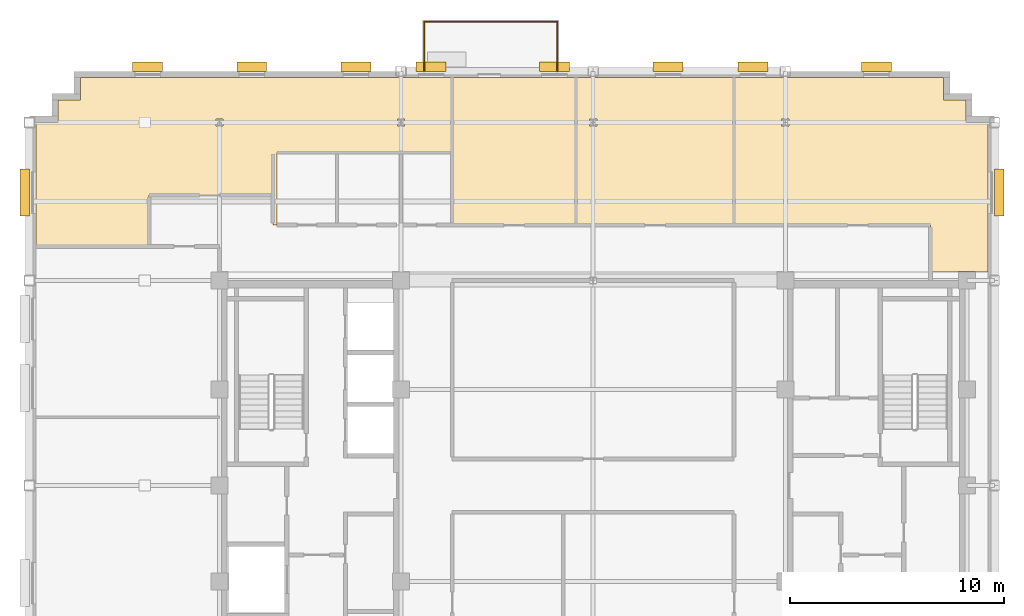
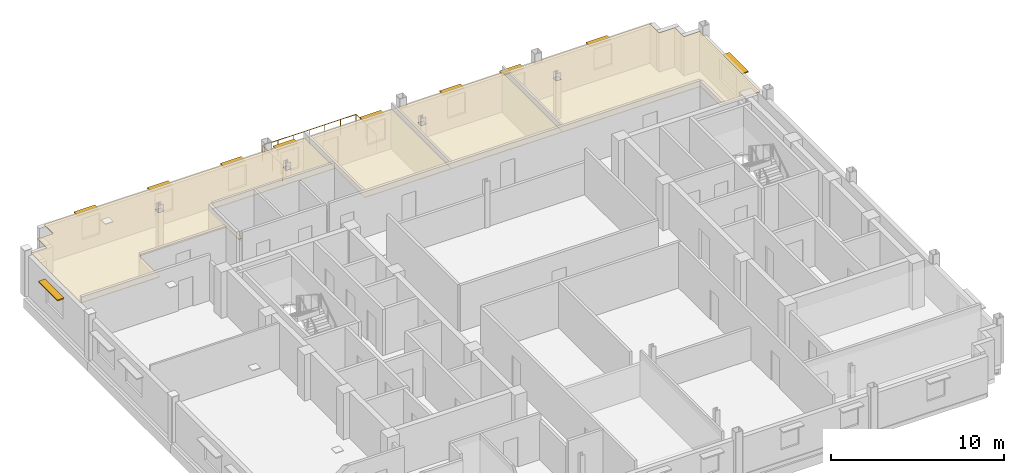
# One storey, part 14 of 14: 10 shading devices, 4 coverings, 1 railing.
"""IFC4 building model written with IfcOpenShell, lengths in metres."""

from ifc_helpers import new_model, si_unit, direction, frame, origin, origin_2d, place, context, subcontext, project, spatial, polyline, rectangle, circle, outline, extrude, source, transform, mapped, material, layer, layer_set, type_object, type_shapes, element, save


model = new_model("IFC4")

# Units and contexts
model_context = context("Model", 3, precision=1e-05, world=origin(), true_north=direction((0.0, 1.0)))
body_context = subcontext(model_context, "Body", "Model", "MODEL_VIEW")
ifc_project = project(units=[si_unit("LENGTHUNIT", "METRE"), si_unit("AREAUNIT", "SQUARE_METRE"), si_unit("VOLUMEUNIT", "CUBIC_METRE"), si_unit("PLANEANGLEUNIT", "RADIAN"), si_unit("MASSUNIT", "GRAM", prefix="KILO")], contexts=[model_context])

# Site, building, storey
site_placement = place(None, origin())
site = spatial("IfcSite", under=ifc_project, at=site_placement, CompositionType="ELEMENT")
building_placement = place(site_placement, origin())
building = spatial("IfcBuilding", under=site, at=building_placement, Name="Nuvemarco Arch Tower", CompositionType="ELEMENT")
storey_placement = place(building_placement, frame((0.0, 0.0, 242.0)))
storey = spatial("IfcBuildingStorey", under=building, at=storey_placement, Name="L64", CompositionType="ELEMENT", Elevation=242.0)

# Coverings
ifc_material_1 = material(Name="Mineral acoustic ceiling tile")
ifc_layer = layer(ifc_material_1, 0.0400390625, Name="COV-ACOUSTIC-CLG")
ifc_layer_set = layer_set([ifc_layer], Name="Mineral acoustic ceiling tile")
covering_type = type_object("IfcCoveringType", Name="COV-ACOUSTIC-CLG", PredefinedType="CEILING", material=ifc_layer_set)
covering_1_placement = place(storey_placement, frame((0.0, 0.0, 2.72998046875)))
element("IfcCovering", 1, at=covering_1_placement, inside=storey, type_object=covering_type, Name="L64 suspended acoustic ceiling 1", PredefinedType="CEILING", context=body_context, shape_type="SweptSolid", body=[
    extrude(outline(polyline([(-15.0, 12.199951171875), (-15.0, 13.60009765625), (-20.800048828125, 13.60009765625), (-20.800048828125, 11.199951171875), (-26.10009765625, 11.199951171875), (-26.10009765625, 17.0), (-25.050048828125, 17.0), (-25.050048828125, 18.050048828125), (-24.0, 18.050048828125), (-24.0, 19.10009765625), (-6.60009765625, 19.10009765625), (-6.60009765625, 15.60009765625), (-9.199951171875, 15.60009765625), (-12.0, 15.60009765625), (-14.800048828125, 15.60009765625), (-14.800048828125, 12.199951171875), (-15.0, 12.199951171875)]), holes=[polyline([(-17.330078125, 17.169921875), (-17.669921875, 17.169921875), (-17.669921875, 16.830078125), (-17.330078125, 16.830078125), (-17.330078125, 17.169921875)]), polyline([(-8.830078125, 17.169921875), (-9.169921875, 17.169921875), (-9.169921875, 16.830078125), (-8.830078125, 16.830078125), (-8.830078125, 17.169921875)])]), origin(), (0.0, 0.0, 1.0), 0.0400390625),
])
covering_2_placement = place(storey_placement, frame((0.0, 0.0, 2.72998046875)))
element("IfcCovering", 2, at=covering_2_placement, inside=storey, type_object=covering_type, Name="L64 suspended acoustic ceiling 2", PredefinedType="CEILING", context=body_context, shape_type="SweptSolid", body=[
    extrude(outline(polyline([(18.5, 17.0), (18.5, 10.0), (17.9150390625, 10.0), (17.9150390625, 10.014892578125), (17.0849609375, 10.014892578125), (17.0849609375, 10.0), (15.800048828125, 10.0), (15.800048828125, 12.199951171875), (9.0, 12.199951171875), (6.60009765625, 12.199951171875), (6.60009765625, 19.10009765625), (16.39990234375, 19.10009765625), (16.39990234375, 18.050048828125), (17.449951171875, 18.050048828125), (17.449951171875, 17.0), (18.5, 17.0)]), holes=[polyline([(9.169921875, 17.169921875), (8.830078125, 17.169921875), (8.830078125, 16.830078125), (9.169921875, 16.830078125), (9.169921875, 17.169921875)])]), origin(), (0.0, 0.0, 1.0), 0.0400390625),
])
covering_3_placement = place(storey_placement, frame((0.0, 0.0, 2.72998046875)))
element("IfcCovering", 3, at=covering_3_placement, inside=storey, type_object=covering_type, Name="L64 suspended acoustic ceiling 5", PredefinedType="CEILING", context=body_context, shape_type="SweptSolid", body=[
    extrude(outline(polyline([(-0.800048828125, 12.199951171875), (-0.800048828125, 19.10009765625), (6.60009765625, 19.10009765625), (6.60009765625, 12.199951171875), (-0.800048828125, 12.199951171875)]), holes=[polyline([(0.169921875, 16.830078125), (0.169921875, 17.169921875), (-0.169921875, 17.169921875), (-0.169921875, 16.830078125), (0.169921875, 16.830078125)])]), origin(), (0.0, 0.0, 1.0), 0.0400390625),
])
covering_4_placement = place(storey_placement, frame((0.0, 0.0, 2.72998046875)))
element("IfcCovering", 4, at=covering_4_placement, inside=storey, type_object=covering_type, Name="L64 suspended acoustic ceiling 8", PredefinedType="CEILING", context=body_context, shape_type="SweptSolid", body=[
    extrude(outline(polyline([(-0.800048828125, 12.199951171875), (-6.60009765625, 12.199951171875), (-6.60009765625, 15.60009765625), (-6.60009765625, 19.10009765625), (-0.800048828125, 19.10009765625), (-0.800048828125, 12.199951171875)])), origin(), (0.0, 0.0, 1.0), 0.0400390625),
])

# Railing
ifc_material_2 = material(Name="Dark anodised balustrade steel S355", Category="steel")
railing_type = type_object("IfcRailingType", Name="RL-TERR-GUARD", PredefinedType="BALUSTRADE", material=ifc_material_2)
railing_placement = place(storey_placement, frame((-7.919921875, 19.39990234375, 0.0)))
element("IfcRailing", 5, at=railing_placement, inside=storey, type_object=railing_type, Name="L64 spiral terrace perimeter balustrade guard", PredefinedType="BALUSTRADE", context=body_context, shape_type="SweptSolid", body=[
    extrude(circle(Radius=0.02392578125, at=origin_2d()), frame((0.0, 0.0, 1.1259765625), z_axis=(0.0, 1.0, 0.0), x_axis=(-1.0, 0.0, 0.0)), (0.0, 0.0, 1.0), 2.320068359375),
    extrude(circle(Radius=0.02392578125, at=origin_2d()), frame((0.0, 2.320068359375, 1.1259765625), z_axis=(1.0, 0.0, 0.0), x_axis=(0.0, 1.0, 0.0)), (0.0, 0.0, 1.0), 6.239990234375),
    extrude(circle(Radius=0.02392578125, at=origin_2d()), frame((6.239990234375, 2.320068359375, 1.1259765625), z_axis=(0.0, -1.0, 0.0), x_axis=(1.0, 0.0, 0.0)), (0.0, 0.0, 1.0), 2.320068359375),
    extrude(circle(Radius=0.02099609375, at=origin_2d()), origin(), (0.0, 0.0, 1.0), 1.101806640625),
    extrude(circle(Radius=0.02099609375, at=origin_2d()), frame((0.0, 1.16015625, 0.0)), (0.0, 0.0, 1.0), 1.101806640625),
    extrude(circle(Radius=0.02099609375, at=origin_2d()), frame((0.0, 2.320068359375, 0.0)), (0.0, 0.0, 1.0), 1.101806640625),
    extrude(circle(Radius=0.02099609375, at=origin_2d()), frame((1.0400390625, 2.320068359375, 0.0)), (0.0, 0.0, 1.0), 1.101806640625),
    extrude(circle(Radius=0.02099609375, at=origin_2d()), frame((2.080078125, 2.320068359375, 0.0)), (0.0, 0.0, 1.0), 1.101806640625),
    extrude(circle(Radius=0.02099609375, at=origin_2d()), frame((3.1201171875, 2.320068359375, 0.0)), (0.0, 0.0, 1.0), 1.101806640625),
    extrude(circle(Radius=0.02099609375, at=origin_2d()), frame((4.159912109375, 2.320068359375, 0.0)), (0.0, 0.0, 1.0), 1.101806640625),
    extrude(circle(Radius=0.02099609375, at=origin_2d()), frame((5.199951171875, 2.320068359375, 0.0)), (0.0, 0.0, 1.0), 1.101806640625),
    extrude(circle(Radius=0.02099609375, at=origin_2d()), frame((6.239990234375, 2.320068359375, 0.0)), (0.0, 0.0, 1.0), 1.101806640625),
    extrude(circle(Radius=0.02099609375, at=origin_2d()), frame((6.239990234375, 1.16015625, 0.0)), (0.0, 0.0, 1.0), 1.101806640625),
    extrude(circle(Radius=0.02099609375, at=origin_2d()), frame((6.239990234375, 0.0, 0.0)), (0.0, 0.0, 1.0), 1.101806640625),
])

# Shading devices
ifc_material_3 = material(Name="Anodised aluminium 6063-T6", Category="aluminium")
shading_device_type_1 = type_object("IfcShadingDeviceType", Name="SHD-BRISE-SOLEIL", PredefinedType="USERDEFINED", material=ifc_material_3)
shared_shape_1 = source(origin(), body_context, "Body", "SweptSolid", [
    extrude(rectangle(XDim=2.199951171875, YDim=0.449951171875, at=origin_2d()), origin(), (0.0, 0.0, 1.0), 0.080078125),
])
type_shapes(shading_device_type_1, [shared_shape_1])
for number, where, z_axis, x_axis, name in (
    (6, (19.014892578125, 13.7177734375, 2.284912109375), (0.0, 0.0, 1.0), (0.0, 1.0, 0.0), "L64 horizontal brise-soleil sunshade"),
    (7, (-26.614990234375, 13.7177734375, 2.284912109375), (0.0, 0.0, 1.0), (0.0, 1.0, 0.0), "L64 horizontal brise-soleil sunshade"),
):
    element("IfcShadingDevice", number, at=place(storey_placement, frame(where, z_axis=z_axis, x_axis=x_axis)), inside=storey, type_object=shading_device_type_1, Name=name, ObjectType="SUNSHADE", PredefinedType="USERDEFINED", context=body_context, shape_type="MappedRepresentation", body=[
        mapped(shared_shape_1, transform((0.0, 0.0, 0.0), scale=1.0)),
    ])
shading_device_type_2 = type_object("IfcShadingDeviceType", Name="SHD-BRISE-NARROW", PredefinedType="USERDEFINED", material=ifc_material_3)
shared_shape_2 = source(origin(), body_context, "Body", "SweptSolid", [
    extrude(rectangle(XDim=1.39990234375, YDim=0.449951171875, at=origin_2d()), origin(), (0.0, 0.0, 1.0), 0.080078125),
])
type_shapes(shading_device_type_2, [shared_shape_2])
for number, where, z_axis, x_axis, name in (
    (8, (-20.862548828125, 19.614990234375, 2.284912109375), (0.0, 0.0, 1.0), (1.0, 0.0, 0.0), "L64 horizontal brise-soleil sunshade"),
    (9, (-15.987548828125, 19.614990234375, 2.284912109375), (0.0, 0.0, 1.0), (1.0, 0.0, 0.0), "L64 horizontal brise-soleil sunshade"),
    (10, (-11.112548828125, 19.614990234375, 2.284912109375), (0.0, 0.0, 1.0), (1.0, 0.0, 0.0), "L64 horizontal brise-soleil sunshade"),
    (11, (-7.58740234375, 19.614990234375, 2.284912109375), (0.0, 0.0, 1.0), (1.0, 0.0, 0.0), "L64 horizontal brise-soleil sunshade"),
    (12, (-1.8125, 19.614990234375, 2.284912109375), (0.0, 0.0, 1.0), (1.0, 0.0, 0.0), "L64 horizontal brise-soleil sunshade"),
    (13, (3.512451171875, 19.614990234375, 2.284912109375), (0.0, 0.0, 1.0), (1.0, 0.0, 0.0), "L64 horizontal brise-soleil sunshade"),
    (14, (7.487548828125, 19.614990234375, 2.284912109375), (0.0, 0.0, 1.0), (1.0, 0.0, 0.0), "L64 horizontal brise-soleil sunshade"),
    (15, (13.262451171875, 19.614990234375, 2.284912109375), (0.0, 0.0, 1.0), (1.0, 0.0, 0.0), "L64 horizontal brise-soleil sunshade"),
):
    element("IfcShadingDevice", number, at=place(storey_placement, frame(where, z_axis=z_axis, x_axis=x_axis)), inside=storey, type_object=shading_device_type_2, Name=name, ObjectType="SUNSHADE", PredefinedType="USERDEFINED", context=body_context, shape_type="MappedRepresentation", body=[
        mapped(shared_shape_2, transform((0.0, 0.0, 0.0), scale=1.0)),
    ])

save(model, "model.ifc")
